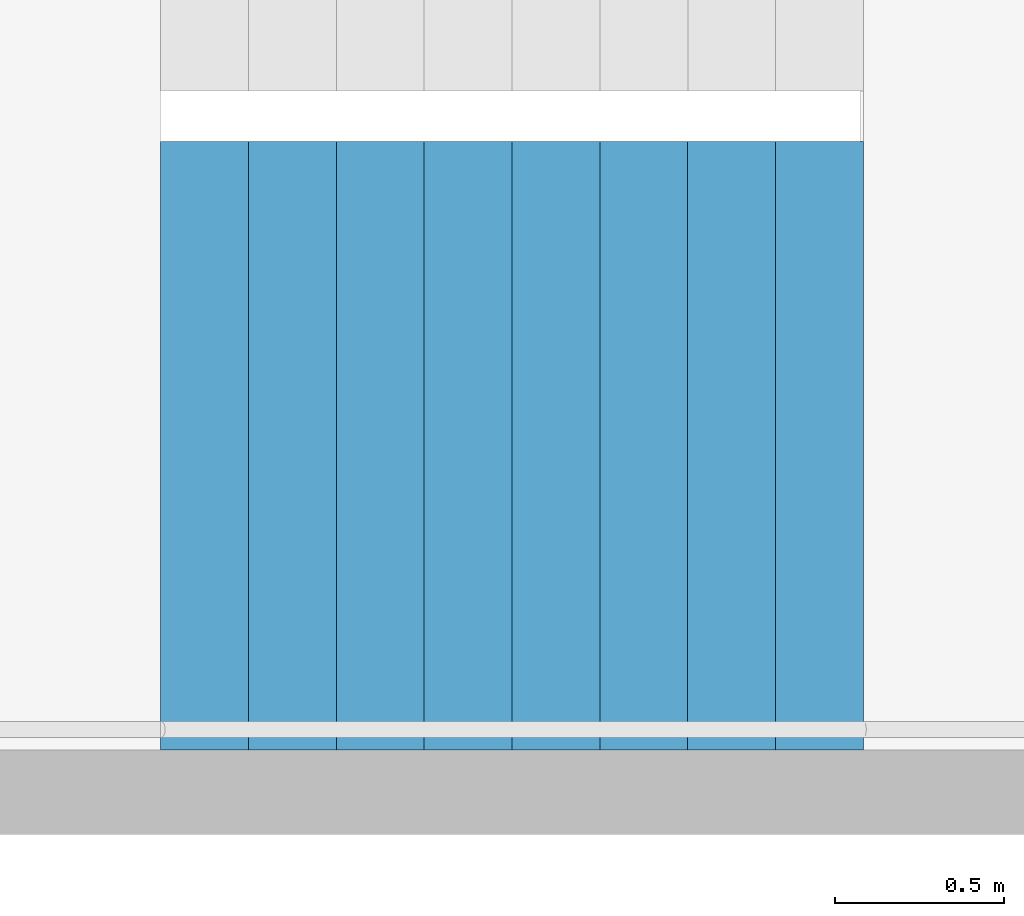
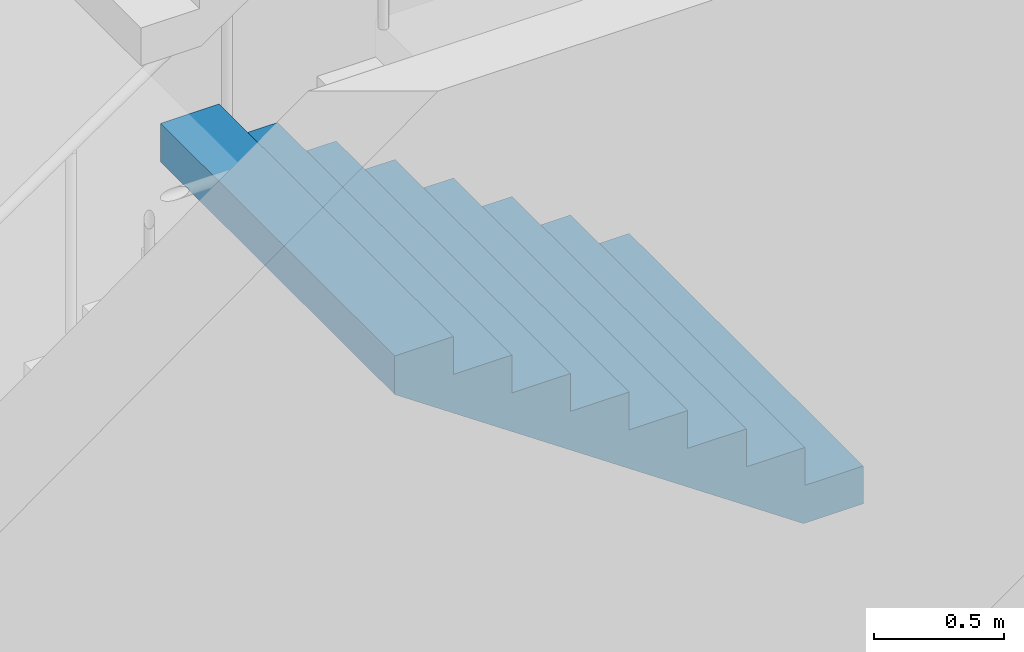
# One storey, part 30 of 44: 1 stair flight, 1 element without a shape of its own.
"""IFC4 building model written with IfcOpenShell, lengths in metres."""

from ifc_helpers import new_model, si_unit, direction, frame, origin, place, context, subcontext, project, spatial, triangles, material, type_object, element, aggregate, save


model = new_model("IFC4")

# Units and contexts
model_context = context("Model", 3, precision=1e-05, world=origin(), true_north=direction((0.0, 1.0)))
body_context = subcontext(model_context, "Body", "Model", "MODEL_VIEW")
ifc_project = project(units=[si_unit("LENGTHUNIT", "METRE"), si_unit("AREAUNIT", "SQUARE_METRE"), si_unit("VOLUMEUNIT", "CUBIC_METRE"), si_unit("PLANEANGLEUNIT", "RADIAN"), si_unit("MASSUNIT", "GRAM", prefix="KILO")], contexts=[model_context])

# Site, building, storey
site_placement = place(None, origin())
site = spatial("IfcSite", under=ifc_project, at=site_placement, CompositionType="ELEMENT")
building_placement = place(site_placement, origin())
building = spatial("IfcBuilding", under=site, at=building_placement, Name="Hakoniwa Tower and Hamabe Station Hall", CompositionType="ELEMENT")
storey_placement = place(building_placement, frame((0.0, 0.0, 69.0)))
storey = spatial("IfcBuildingStorey", under=building, at=storey_placement, Name="L19", CompositionType="ELEMENT", Elevation=69.0)

# Stair, stair flight
ifc_material_1 = material(Name="Concrete C40", Category="concrete")
stair_type = type_object("IfcStairType", Name="ESCAPE STAIR 1800", PredefinedType="HALF_TURN_STAIR", material=ifc_material_1)
stair_placement = place(storey_placement, origin())
stair = element("IfcStair", 1, at=stair_placement, inside=storey, type_object=stair_type, Name="Escape stair ST-3 L19", PredefinedType="HALF_TURN_STAIR")
ifc_material_2 = material(Name="Concrete C40", Category="concrete")
stair_flight_type = type_object("IfcStairFlightType", Name="STAIR FLIGHT 1800", PredefinedType="STRAIGHT", material=ifc_material_2)
stair_flight_placement = place(storey_placement, frame((24.39990234375, 4.64990234375, 3.199951171875), z_axis=(0.0, 0.0, 1.0), x_axis=(-1.0, 0.0, 0.0)))
stair_flight = element("IfcStairFlight", 2, at=stair_flight_placement, type_object=stair_flight_type, Name="ST-3 flight 3", NumberOfRisers=9, NumberOfTreads=8, PredefinedType="STRAIGHT", RiserHeight=0.177777778, TreadLength=0.26, context=body_context, shape_type="Tessellation", body=[
    triangles([(0.0, 0.89990234375, 0.0), (0.260009765625, 0.89990234375, 0.0), (0.265625, 0.89990234375, 0.0), (0.52001953125, 0.89990234375, 0.174072265625), (0.780029296875, 0.89990234375, 0.351806640625), (1.0400390625, 0.89990234375, 0.529541015625), (1.300048828125, 0.89990234375, 0.707275390625), (1.56005859375, 0.89990234375, 0.885009765625), (1.820068359375, 0.89990234375, 1.062744140625), (2.080078125, 0.89990234375, 1.24072265625), (2.080078125, 0.89990234375, 1.422119140625), (1.820068359375, 0.89990234375, 1.422119140625), (1.820068359375, 0.89990234375, 1.244384765625), (1.56005859375, 0.89990234375, 1.244384765625), (1.56005859375, 0.89990234375, 1.066650390625), (1.300048828125, 0.89990234375, 1.066650390625), (1.300048828125, 0.89990234375, 0.888916015625), (1.0400390625, 0.89990234375, 0.888916015625), (1.0400390625, 0.89990234375, 0.711181640625), (0.780029296875, 0.89990234375, 0.711181640625), (0.780029296875, 0.89990234375, 0.533447265625), (0.52001953125, 0.89990234375, 0.533447265625), (0.52001953125, 0.89990234375, 0.35546875), (0.265625, 0.89990234375, 0.35546875), (0.260009765625, 0.89990234375, 0.35546875), (0.260009765625, 0.89990234375, 0.177734375), (0.0, 0.89990234375, 0.177734375), (0.0, 0.06005859375, 0.0), (0.260009765625, 0.06005859375, 0.0), (0.265625, 0.06005859375, 0.0), (0.52001953125, 0.06005859375, 0.174072265625), (0.780029296875, 0.06005859375, 0.351806640625), (1.0400390625, 0.06005859375, 0.529541015625), (1.300048828125, 0.06005859375, 0.707275390625), (1.56005859375, 0.06005859375, 0.885009765625), (1.820068359375, 0.06005859375, 1.062744140625), (2.080078125, 0.06005859375, 1.24072265625), (2.080078125, 0.06005859375, 1.422119140625), (1.820068359375, 0.06005859375, 1.422119140625), (1.820068359375, 0.06005859375, 1.244384765625), (1.56005859375, 0.06005859375, 1.244384765625), (1.56005859375, 0.06005859375, 1.066650390625), (1.300048828125, 0.06005859375, 1.066650390625), (1.300048828125, 0.06005859375, 0.888916015625), (1.0400390625, 0.06005859375, 0.888916015625), (1.0400390625, 0.06005859375, 0.711181640625), (0.780029296875, 0.06005859375, 0.711181640625), (0.780029296875, 0.06005859375, 0.533447265625), (0.52001953125, 0.06005859375, 0.533447265625), (0.52001953125, 0.06005859375, 0.35546875), (0.265625, 0.06005859375, 0.35546875), (0.260009765625, 0.06005859375, 0.35546875), (0.260009765625, 0.06005859375, 0.177734375), (0.0, 0.06005859375, 0.177734375), (0.0, 0.04296875, 0.0), (0.260009765625, 0.04296875, 0.0), (0.265625, 0.04296875, 0.0), (0.52001953125, 0.04296875, 0.174072265625), (0.780029296875, 0.04296875, 0.351806640625), (1.0400390625, 0.04296875, 0.529541015625), (1.300048828125, 0.04296875, 0.707275390625), (1.56005859375, 0.04296875, 0.885009765625), (1.820068359375, 0.04296875, 1.062744140625), (2.080078125, 0.04296875, 1.24072265625), (2.080078125, 0.04296875, 1.422119140625), (1.820068359375, 0.04296875, 1.422119140625), (1.820068359375, 0.04296875, 1.244384765625), (1.56005859375, 0.04296875, 1.244384765625), (1.56005859375, 0.04296875, 1.066650390625), (1.300048828125, 0.04296875, 1.066650390625), (1.300048828125, 0.04296875, 0.888916015625), (1.0400390625, 0.04296875, 0.888916015625), (1.0400390625, 0.04296875, 0.711181640625), (0.780029296875, 0.04296875, 0.711181640625), (0.780029296875, 0.04296875, 0.533447265625), (0.52001953125, 0.04296875, 0.533447265625), (0.52001953125, 0.04296875, 0.35546875), (0.265625, 0.04296875, 0.35546875), (0.260009765625, 0.04296875, 0.35546875), (0.260009765625, 0.04296875, 0.177734375), (0.0, 0.04296875, 0.177734375), (0.0, 0.025634765625, 0.0), (0.260009765625, 0.025634765625, 0.0), (0.265625, 0.025634765625, 0.0), (0.52001953125, 0.025634765625, 0.174072265625), (0.780029296875, 0.025634765625, 0.351806640625), (1.0400390625, 0.025634765625, 0.529541015625), (1.300048828125, 0.025634765625, 0.707275390625), (1.56005859375, 0.025634765625, 0.885009765625), (1.820068359375, 0.025634765625, 1.062744140625), (2.080078125, 0.025634765625, 1.24072265625), (2.080078125, 0.025634765625, 1.422119140625), (1.820068359375, 0.025634765625, 1.422119140625), (1.820068359375, 0.025634765625, 1.244384765625), (1.56005859375, 0.025634765625, 1.244384765625), (1.56005859375, 0.025634765625, 1.066650390625), (1.300048828125, 0.025634765625, 1.066650390625), (1.300048828125, 0.025634765625, 0.888916015625), (1.0400390625, 0.025634765625, 0.888916015625), (1.0400390625, 0.025634765625, 0.711181640625), (0.780029296875, 0.025634765625, 0.711181640625), (0.780029296875, 0.025634765625, 0.533447265625), (0.52001953125, 0.025634765625, 0.533447265625), (0.52001953125, 0.025634765625, 0.35546875), (0.265625, 0.025634765625, 0.35546875), (0.260009765625, 0.025634765625, 0.35546875), (0.260009765625, 0.025634765625, 0.177734375), (0.0, 0.025634765625, 0.177734375), (0.0, 0.008544921875, 0.0), (0.260009765625, 0.008544921875, 0.0), (0.265625, 0.008544921875, 0.0), (0.52001953125, 0.008544921875, 0.174072265625), (0.780029296875, 0.008544921875, 0.351806640625), (1.0400390625, 0.008544921875, 0.529541015625), (1.300048828125, 0.008544921875, 0.707275390625), (1.56005859375, 0.008544921875, 0.885009765625), (1.820068359375, 0.008544921875, 1.062744140625), (2.080078125, 0.008544921875, 1.24072265625), (2.080078125, 0.008544921875, 1.422119140625), (1.820068359375, 0.008544921875, 1.422119140625), (1.820068359375, 0.008544921875, 1.244384765625), (1.56005859375, 0.008544921875, 1.244384765625), (1.56005859375, 0.008544921875, 1.066650390625), (1.300048828125, 0.008544921875, 1.066650390625), (1.300048828125, 0.008544921875, 0.888916015625), (1.0400390625, 0.008544921875, 0.888916015625), (1.0400390625, 0.008544921875, 0.711181640625), (0.780029296875, 0.008544921875, 0.711181640625), (0.780029296875, 0.008544921875, 0.533447265625), (0.52001953125, 0.008544921875, 0.533447265625), (0.52001953125, 0.008544921875, 0.35546875), (0.265625, 0.008544921875, 0.35546875), (0.260009765625, 0.008544921875, 0.35546875), (0.260009765625, 0.008544921875, 0.177734375), (0.0, 0.008544921875, 0.177734375), (0.0, -0.008544921875, 0.0), (0.260009765625, -0.008544921875, 0.0), (0.265625, -0.008544921875, 0.0), (0.52001953125, -0.008544921875, 0.174072265625), (0.780029296875, -0.008544921875, 0.351806640625), (1.0400390625, -0.008544921875, 0.529541015625), (1.300048828125, -0.008544921875, 0.707275390625), (1.56005859375, -0.008544921875, 0.885009765625), (1.820068359375, -0.008544921875, 1.062744140625), (2.080078125, -0.008544921875, 1.24072265625), (2.080078125, -0.008544921875, 1.422119140625), (1.820068359375, -0.008544921875, 1.422119140625), (1.820068359375, -0.008544921875, 1.244384765625), (1.56005859375, -0.008544921875, 1.244384765625), (1.56005859375, -0.008544921875, 1.066650390625), (1.300048828125, -0.008544921875, 1.066650390625), (1.300048828125, -0.008544921875, 0.888916015625), (1.0400390625, -0.008544921875, 0.888916015625), (1.0400390625, -0.008544921875, 0.711181640625), (0.780029296875, -0.008544921875, 0.711181640625), (0.780029296875, -0.008544921875, 0.533447265625), (0.52001953125, -0.008544921875, 0.533447265625), (0.52001953125, -0.008544921875, 0.35546875), (0.265625, -0.008544921875, 0.35546875), (0.260009765625, -0.008544921875, 0.35546875), (0.260009765625, -0.008544921875, 0.177734375), (0.0, -0.008544921875, 0.177734375), (0.0, -0.025634765625, 0.0), (0.260009765625, -0.025634765625, 0.0), (0.265625, -0.025634765625, 0.0), (0.52001953125, -0.025634765625, 0.174072265625), (0.780029296875, -0.025634765625, 0.351806640625), (1.0400390625, -0.025634765625, 0.529541015625), (1.300048828125, -0.025634765625, 0.707275390625), (1.56005859375, -0.025634765625, 0.885009765625), (1.820068359375, -0.025634765625, 1.062744140625), (2.080078125, -0.025634765625, 1.24072265625), (2.080078125, -0.025634765625, 1.422119140625), (1.820068359375, -0.025634765625, 1.422119140625), (1.820068359375, -0.025634765625, 1.244384765625), (1.56005859375, -0.025634765625, 1.244384765625), (1.56005859375, -0.025634765625, 1.066650390625), (1.300048828125, -0.025634765625, 1.066650390625), (1.300048828125, -0.025634765625, 0.888916015625), (1.0400390625, -0.025634765625, 0.888916015625), (1.0400390625, -0.025634765625, 0.711181640625), (0.780029296875, -0.025634765625, 0.711181640625), (0.780029296875, -0.025634765625, 0.533447265625), (0.52001953125, -0.025634765625, 0.533447265625), (0.52001953125, -0.025634765625, 0.35546875), (0.265625, -0.025634765625, 0.35546875), (0.260009765625, -0.025634765625, 0.35546875), (0.260009765625, -0.025634765625, 0.177734375), (0.0, -0.025634765625, 0.177734375), (0.0, -0.04296875, 0.0), (0.260009765625, -0.04296875, 0.0), (0.265625, -0.04296875, 0.0), (0.52001953125, -0.04296875, 0.174072265625), (0.780029296875, -0.04296875, 0.351806640625), (1.0400390625, -0.04296875, 0.529541015625), (1.300048828125, -0.04296875, 0.707275390625), (1.56005859375, -0.04296875, 0.885009765625), (1.820068359375, -0.04296875, 1.062744140625), (2.080078125, -0.04296875, 1.24072265625), (2.080078125, -0.04296875, 1.422119140625), (1.820068359375, -0.04296875, 1.422119140625), (1.820068359375, -0.04296875, 1.244384765625), (1.56005859375, -0.04296875, 1.244384765625), (1.56005859375, -0.04296875, 1.066650390625), (1.300048828125, -0.04296875, 1.066650390625), (1.300048828125, -0.04296875, 0.888916015625), (1.0400390625, -0.04296875, 0.888916015625), (1.0400390625, -0.04296875, 0.711181640625), (0.780029296875, -0.04296875, 0.711181640625), (0.780029296875, -0.04296875, 0.533447265625), (0.52001953125, -0.04296875, 0.533447265625), (0.52001953125, -0.04296875, 0.35546875), (0.265625, -0.04296875, 0.35546875), (0.260009765625, -0.04296875, 0.35546875), (0.260009765625, -0.04296875, 0.177734375), (0.0, -0.04296875, 0.177734375), (0.0, -0.06005859375, 0.0), (0.260009765625, -0.06005859375, 0.0), (0.265625, -0.06005859375, 0.0), (0.52001953125, -0.06005859375, 0.174072265625), (0.780029296875, -0.06005859375, 0.351806640625), (1.0400390625, -0.06005859375, 0.529541015625), (1.300048828125, -0.06005859375, 0.707275390625), (1.56005859375, -0.06005859375, 0.885009765625), (1.820068359375, -0.06005859375, 1.062744140625), (2.080078125, -0.06005859375, 1.24072265625), (2.080078125, -0.06005859375, 1.422119140625), (1.820068359375, -0.06005859375, 1.422119140625), (1.820068359375, -0.06005859375, 1.244384765625), (1.56005859375, -0.06005859375, 1.244384765625), (1.56005859375, -0.06005859375, 1.066650390625), (1.300048828125, -0.06005859375, 1.066650390625), (1.300048828125, -0.06005859375, 0.888916015625), (1.0400390625, -0.06005859375, 0.888916015625), (1.0400390625, -0.06005859375, 0.711181640625), (0.780029296875, -0.06005859375, 0.711181640625), (0.780029296875, -0.06005859375, 0.533447265625), (0.52001953125, -0.06005859375, 0.533447265625), (0.52001953125, -0.06005859375, 0.35546875), (0.265625, -0.06005859375, 0.35546875), (0.260009765625, -0.06005859375, 0.35546875), (0.260009765625, -0.06005859375, 0.177734375), (0.0, -0.06005859375, 0.177734375), (0.0, -0.89990234375, 0.0), (0.260009765625, -0.89990234375, 0.0), (0.265625, -0.89990234375, 0.0), (0.52001953125, -0.89990234375, 0.174072265625), (0.780029296875, -0.89990234375, 0.351806640625), (1.0400390625, -0.89990234375, 0.529541015625), (1.300048828125, -0.89990234375, 0.707275390625), (1.56005859375, -0.89990234375, 0.885009765625), (1.820068359375, -0.89990234375, 1.062744140625), (2.080078125, -0.89990234375, 1.24072265625), (2.080078125, -0.89990234375, 1.422119140625), (1.820068359375, -0.89990234375, 1.422119140625), (1.820068359375, -0.89990234375, 1.244384765625), (1.56005859375, -0.89990234375, 1.244384765625), (1.56005859375, -0.89990234375, 1.066650390625), (1.300048828125, -0.89990234375, 1.066650390625), (1.300048828125, -0.89990234375, 0.888916015625), (1.0400390625, -0.89990234375, 0.888916015625), (1.0400390625, -0.89990234375, 0.711181640625), (0.780029296875, -0.89990234375, 0.711181640625), (0.780029296875, -0.89990234375, 0.533447265625), (0.52001953125, -0.89990234375, 0.533447265625), (0.52001953125, -0.89990234375, 0.35546875), (0.265625, -0.89990234375, 0.35546875), (0.260009765625, -0.89990234375, 0.35546875), (0.260009765625, -0.89990234375, 0.177734375), (0.0, -0.89990234375, 0.177734375)], [[2, 27, 26], [245, 269, 270], [2, 1, 27], [245, 270, 244], [3, 25, 24], [246, 267, 268], [3, 26, 25], [246, 268, 269], [3, 2, 26], [246, 269, 245], [4, 24, 23], [247, 266, 267], [4, 3, 24], [247, 267, 246], [5, 22, 21], [248, 264, 265], [5, 23, 22], [248, 265, 266], [5, 4, 23], [248, 266, 247], [6, 20, 19], [249, 262, 263], [6, 21, 20], [249, 263, 264], [6, 5, 21], [249, 264, 248], [7, 18, 17], [250, 260, 261], [7, 19, 18], [250, 261, 262], [7, 6, 19], [250, 262, 249], [8, 16, 15], [251, 258, 259], [8, 17, 16], [251, 259, 260], [8, 7, 17], [251, 260, 250], [9, 14, 13], [252, 256, 257], [9, 15, 14], [252, 257, 258], [9, 8, 15], [252, 258, 251], [10, 12, 11], [253, 254, 255], [10, 13, 12], [253, 255, 256], [10, 9, 13], [253, 256, 252], [1, 2, 29], [1, 29, 28], [28, 29, 56], [28, 56, 55], [55, 56, 83], [55, 83, 82], [82, 83, 110], [82, 110, 109], [109, 110, 137], [109, 137, 136], [136, 137, 164], [136, 164, 163], [163, 164, 191], [163, 191, 190], [190, 191, 218], [190, 218, 217], [217, 218, 245], [217, 245, 244], [2, 3, 30], [2, 30, 29], [29, 30, 57], [29, 57, 56], [56, 57, 84], [56, 84, 83], [83, 84, 111], [83, 111, 110], [110, 111, 138], [110, 138, 137], [137, 138, 165], [137, 165, 164], [164, 165, 192], [164, 192, 191], [191, 192, 219], [191, 219, 218], [218, 219, 246], [218, 246, 245], [3, 4, 31], [3, 31, 30], [30, 31, 58], [30, 58, 57], [57, 58, 85], [57, 85, 84], [84, 85, 112], [84, 112, 111], [111, 112, 139], [111, 139, 138], [138, 139, 166], [138, 166, 165], [165, 166, 193], [165, 193, 192], [192, 193, 220], [192, 220, 219], [219, 220, 247], [219, 247, 246], [4, 5, 32], [4, 32, 31], [31, 32, 59], [31, 59, 58], [58, 59, 86], [58, 86, 85], [85, 86, 113], [85, 113, 112], [112, 113, 140], [112, 140, 139], [139, 140, 167], [139, 167, 166], [166, 167, 194], [166, 194, 193], [193, 194, 221], [193, 221, 220], [220, 221, 248], [220, 248, 247], [5, 6, 33], [5, 33, 32], [32, 33, 60], [32, 60, 59], [59, 60, 87], [59, 87, 86], [86, 87, 114], [86, 114, 113], [113, 114, 141], [113, 141, 140], [140, 141, 168], [140, 168, 167], [167, 168, 195], [167, 195, 194], [194, 195, 222], [194, 222, 221], [221, 222, 249], [221, 249, 248], [6, 7, 34], [6, 34, 33], [33, 34, 61], [33, 61, 60], [60, 61, 88], [60, 88, 87], [87, 88, 115], [87, 115, 114], [114, 115, 142], [114, 142, 141], [141, 142, 169], [141, 169, 168], [168, 169, 196], [168, 196, 195], [195, 196, 223], [195, 223, 222], [222, 223, 250], [222, 250, 249], [7, 8, 35], [7, 35, 34], [34, 35, 62], [34, 62, 61], [61, 62, 89], [61, 89, 88], [88, 89, 116], [88, 116, 115], [115, 116, 143], [115, 143, 142], [142, 143, 170], [142, 170, 169], [169, 170, 197], [169, 197, 196], [196, 197, 224], [196, 224, 223], [223, 224, 251], [223, 251, 250], [8, 9, 36], [8, 36, 35], [35, 36, 63], [35, 63, 62], [62, 63, 90], [62, 90, 89], [89, 90, 117], [89, 117, 116], [116, 117, 144], [116, 144, 143], [143, 144, 171], [143, 171, 170], [170, 171, 198], [170, 198, 197], [197, 198, 225], [197, 225, 224], [224, 225, 252], [224, 252, 251], [9, 10, 37], [9, 37, 36], [36, 37, 64], [36, 64, 63], [63, 64, 91], [63, 91, 90], [90, 91, 118], [90, 118, 117], [117, 118, 145], [117, 145, 144], [144, 145, 172], [144, 172, 171], [171, 172, 199], [171, 199, 198], [198, 199, 226], [198, 226, 225], [225, 226, 253], [225, 253, 252], [10, 11, 38], [10, 38, 37], [37, 38, 65], [37, 65, 64], [64, 65, 92], [64, 92, 91], [91, 92, 119], [91, 119, 118], [118, 119, 146], [118, 146, 145], [145, 146, 173], [145, 173, 172], [172, 173, 200], [172, 200, 199], [199, 200, 227], [199, 227, 226], [226, 227, 254], [226, 254, 253], [11, 12, 39], [11, 39, 38], [38, 39, 66], [38, 66, 65], [65, 66, 93], [65, 93, 92], [92, 93, 120], [92, 120, 119], [119, 120, 147], [119, 147, 146], [146, 147, 174], [146, 174, 173], [173, 174, 201], [173, 201, 200], [200, 201, 228], [200, 228, 227], [227, 228, 255], [227, 255, 254], [12, 13, 40], [12, 40, 39], [39, 40, 67], [39, 67, 66], [66, 67, 94], [66, 94, 93], [93, 94, 121], [93, 121, 120], [120, 121, 148], [120, 148, 147], [147, 148, 175], [147, 175, 174], [174, 175, 202], [174, 202, 201], [201, 202, 229], [201, 229, 228], [228, 229, 256], [228, 256, 255], [13, 14, 41], [13, 41, 40], [40, 41, 68], [40, 68, 67], [67, 68, 95], [67, 95, 94], [94, 95, 122], [94, 122, 121], [121, 122, 149], [121, 149, 148], [148, 149, 176], [148, 176, 175], [175, 176, 203], [175, 203, 202], [202, 203, 230], [202, 230, 229], [229, 230, 257], [229, 257, 256], [14, 15, 42], [14, 42, 41], [41, 42, 69], [41, 69, 68], [68, 69, 96], [68, 96, 95], [95, 96, 123], [95, 123, 122], [122, 123, 150], [122, 150, 149], [149, 150, 177], [149, 177, 176], [176, 177, 204], [176, 204, 203], [203, 204, 231], [203, 231, 230], [230, 231, 258], [230, 258, 257], [15, 16, 43], [15, 43, 42], [42, 43, 70], [42, 70, 69], [69, 70, 97], [69, 97, 96], [96, 97, 124], [96, 124, 123], [123, 124, 151], [123, 151, 150], [150, 151, 178], [150, 178, 177], [177, 178, 205], [177, 205, 204], [204, 205, 232], [204, 232, 231], [231, 232, 259], [231, 259, 258], [16, 17, 44], [16, 44, 43], [43, 44, 71], [43, 71, 70], [70, 71, 98], [70, 98, 97], [97, 98, 125], [97, 125, 124], [124, 125, 152], [124, 152, 151], [151, 152, 179], [151, 179, 178], [178, 179, 206], [178, 206, 205], [205, 206, 233], [205, 233, 232], [232, 233, 260], [232, 260, 259], [17, 18, 45], [17, 45, 44], [44, 45, 72], [44, 72, 71], [71, 72, 99], [71, 99, 98], [98, 99, 126], [98, 126, 125], [125, 126, 153], [125, 153, 152], [152, 153, 180], [152, 180, 179], [179, 180, 207], [179, 207, 206], [206, 207, 234], [206, 234, 233], [233, 234, 261], [233, 261, 260], [18, 19, 46], [18, 46, 45], [45, 46, 73], [45, 73, 72], [72, 73, 100], [72, 100, 99], [99, 100, 127], [99, 127, 126], [126, 127, 154], [126, 154, 153], [153, 154, 181], [153, 181, 180], [180, 181, 208], [180, 208, 207], [207, 208, 235], [207, 235, 234], [234, 235, 262], [234, 262, 261], [19, 20, 47], [19, 47, 46], [46, 47, 74], [46, 74, 73], [73, 74, 101], [73, 101, 100], [100, 101, 128], [100, 128, 127], [127, 128, 155], [127, 155, 154], [154, 155, 182], [154, 182, 181], [181, 182, 209], [181, 209, 208], [208, 209, 236], [208, 236, 235], [235, 236, 263], [235, 263, 262], [20, 21, 48], [20, 48, 47], [47, 48, 75], [47, 75, 74], [74, 75, 102], [74, 102, 101], [101, 102, 129], [101, 129, 128], [128, 129, 156], [128, 156, 155], [155, 156, 183], [155, 183, 182], [182, 183, 210], [182, 210, 209], [209, 210, 237], [209, 237, 236], [236, 237, 264], [236, 264, 263], [21, 22, 49], [21, 49, 48], [48, 49, 76], [48, 76, 75], [75, 76, 103], [75, 103, 102], [102, 103, 130], [102, 130, 129], [129, 130, 157], [129, 157, 156], [156, 157, 184], [156, 184, 183], [183, 184, 211], [183, 211, 210], [210, 211, 238], [210, 238, 237], [237, 238, 265], [237, 265, 264], [22, 23, 50], [22, 50, 49], [49, 50, 77], [49, 77, 76], [76, 77, 104], [76, 104, 103], [103, 104, 131], [103, 131, 130], [130, 131, 158], [130, 158, 157], [157, 158, 185], [157, 185, 184], [184, 185, 212], [184, 212, 211], [211, 212, 239], [211, 239, 238], [238, 239, 266], [238, 266, 265], [23, 24, 51], [23, 51, 50], [50, 51, 78], [50, 78, 77], [77, 78, 105], [77, 105, 104], [104, 105, 132], [104, 132, 131], [131, 132, 159], [131, 159, 158], [158, 159, 186], [158, 186, 185], [185, 186, 213], [185, 213, 212], [212, 213, 240], [212, 240, 239], [239, 240, 267], [239, 267, 266], [24, 25, 52], [24, 52, 51], [51, 52, 79], [51, 79, 78], [78, 79, 106], [78, 106, 105], [105, 106, 133], [105, 133, 132], [132, 133, 160], [132, 160, 159], [159, 160, 187], [159, 187, 186], [186, 187, 214], [186, 214, 213], [213, 214, 241], [213, 241, 240], [240, 241, 268], [240, 268, 267], [25, 26, 53], [25, 53, 52], [52, 53, 80], [52, 80, 79], [79, 80, 107], [79, 107, 106], [106, 107, 134], [106, 134, 133], [133, 134, 161], [133, 161, 160], [160, 161, 188], [160, 188, 187], [187, 188, 215], [187, 215, 214], [214, 215, 242], [214, 242, 241], [241, 242, 269], [241, 269, 268], [26, 27, 54], [26, 54, 53], [53, 54, 81], [53, 81, 80], [80, 81, 108], [80, 108, 107], [107, 108, 135], [107, 135, 134], [134, 135, 162], [134, 162, 161], [161, 162, 189], [161, 189, 188], [188, 189, 216], [188, 216, 215], [215, 216, 243], [215, 243, 242], [242, 243, 270], [242, 270, 269], [27, 1, 28], [27, 28, 54], [54, 28, 55], [54, 55, 81], [81, 55, 82], [81, 82, 108], [108, 82, 109], [108, 109, 135], [135, 109, 136], [135, 136, 162], [162, 136, 163], [162, 163, 189], [189, 163, 190], [189, 190, 216], [216, 190, 217], [216, 217, 243], [243, 217, 244], [243, 244, 270]], closed=True),
])
aggregate(stair, [stair_flight])

save(model, "model.ifc")
